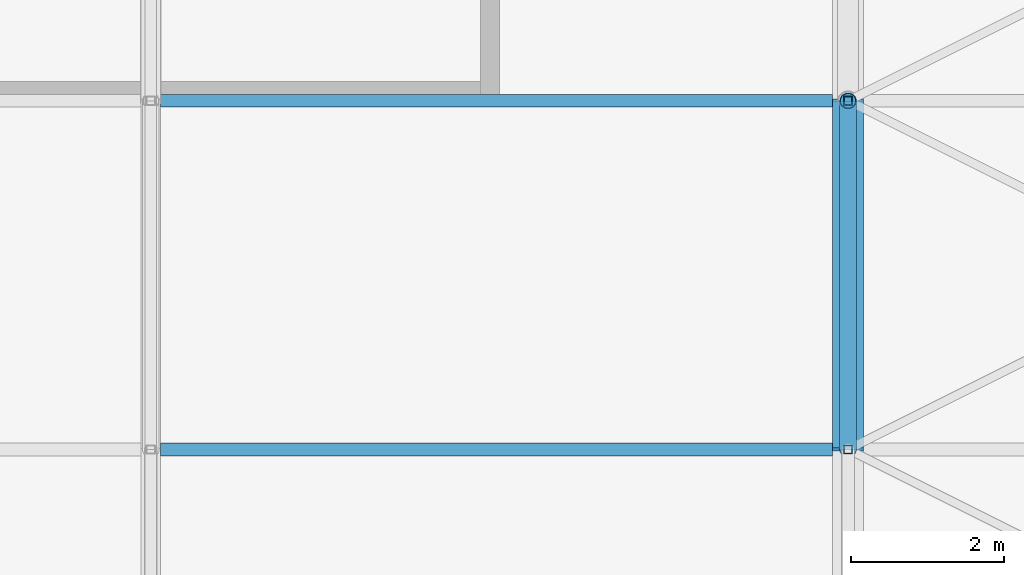
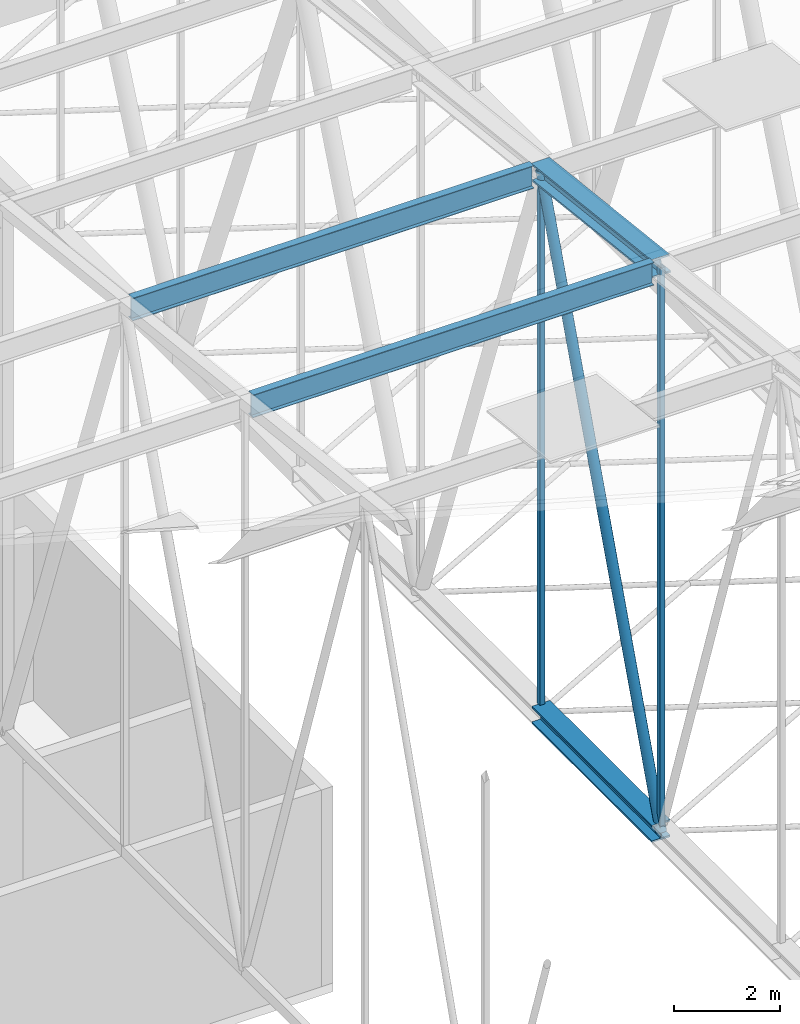
# One storey, part 203 of 500: 7 members.
"""IFC4 building model written with IfcOpenShell, lengths in metres."""

from ifc_helpers import new_model, si_unit, direction, frame, origin, origin_2d, place, context, subcontext, project, spatial, hollow_rectangle, hollow_circle, i_section, extrude, material, material_profile, profile_set, type_object, element, save


model = new_model("IFC4")

# Units and contexts
model_context = context("Model", 3, precision=1e-05, world=origin(), true_north=direction((0.0, 1.0)))
body_context = subcontext(model_context, "Body", "Model", "MODEL_VIEW")
ifc_project = project(units=[si_unit("LENGTHUNIT", "METRE"), si_unit("AREAUNIT", "SQUARE_METRE"), si_unit("VOLUMEUNIT", "CUBIC_METRE"), si_unit("PLANEANGLEUNIT", "RADIAN"), si_unit("MASSUNIT", "GRAM", prefix="KILO")], contexts=[model_context])

# Site, building, storey
site_placement = place(None, origin())
site = spatial("IfcSite", under=ifc_project, at=site_placement, CompositionType="ELEMENT")
building_placement = place(site_placement, origin())
building = spatial("IfcBuilding", under=site, at=building_placement, Name="Shirokan Park Arena", CompositionType="ELEMENT")
storey_placement = place(building_placement, frame((0.0, 0.0, 29.1201171875)))
storey = spatial("IfcBuildingStorey", under=building, at=storey_placement, Name="L06", CompositionType="ELEMENT", Elevation=29.1201171875)

# Members
ifc_material_1 = material(Name="Steel ASTM A992", Category="steel")
ifc_material_profile_1 = material_profile(ifc_material_1, i_section(OverallWidth=0.40087890625, OverallDepth=0.39892578125, WebThickness=0.02490234375, FlangeThickness=0.03955078125, at=origin_2d()), Name="W360X314")
ifc_profile_set_1 = profile_set([ifc_material_profile_1], Name="Steel ASTM A992")
member_type_1 = type_object("IfcMemberType", Name="Bottom chord W360X314", PredefinedType="CHORD", material=ifc_profile_set_1)
member_1_placement = place(storey_placement, frame((45.5, 63.699951171875, 4.677001953125), z_axis=(0.0, 1.0, 0.0), x_axis=(-1.0, 0.0, 0.0)))
element("IfcMember", 1, at=member_1_placement, inside=storey, type_object=member_type_1, Name="Truss T06 bottom chord 17", PredefinedType="CHORD", context=body_context, shape_type="SweptSolid", body=[
    extrude(i_section(OverallWidth=0.40087890625, OverallDepth=0.39892578125, WebThickness=0.02490234375, FlangeThickness=0.03955078125, at=origin_2d()), origin(), (0.0, 0.0, 1.0), 4.550048828125),
])
ifc_material_profile_2 = material_profile(ifc_material_1, i_section(OverallWidth=0.166015625, OverallDepth=0.528076171875, WebThickness=0.009765625, FlangeThickness=0.013671875, at=origin_2d()), Name="W530X74")
ifc_profile_set_2 = profile_set([ifc_material_profile_2], Name="Steel ASTM A992")
member_type_2 = type_object("IfcMemberType", Name="Purlin W530X74", PredefinedType="PURLIN", material=ifc_profile_set_2)
member_2_placement = place(storey_placement, frame((36.527099609375, 63.699951171875, 17.685791015625), z_axis=(1.0, 0.0, 0.0), x_axis=(0.0, 1.0, 0.0)))
element("IfcMember", 2, at=member_2_placement, inside=storey, type_object=member_type_2, Name="Purlin 17 bay 5", PredefinedType="PURLIN", context=body_context, shape_type="SweptSolid", body=[
    extrude(i_section(OverallWidth=0.166015625, OverallDepth=0.528076171875, WebThickness=0.009765625, FlangeThickness=0.013671875, at=origin_2d()), origin(), (0.0, 0.0, 1.0), 8.77001953125),
])
member_3_placement = place(storey_placement, frame((36.527099609375, 68.25, 17.165771484375), z_axis=(1.0, 0.0, 0.0), x_axis=(0.0, 1.0, 0.0)))
element("IfcMember", 3, at=member_3_placement, inside=storey, type_object=member_type_2, Name="Purlin 18 bay 5", PredefinedType="PURLIN", context=body_context, shape_type="SweptSolid", body=[
    extrude(i_section(OverallWidth=0.166015625, OverallDepth=0.528076171875, WebThickness=0.009765625, FlangeThickness=0.013671875, at=origin_2d()), origin(), (0.0, 0.0, 1.0), 8.7724609375),
])
ifc_material_profile_3 = material_profile(ifc_material_1, i_section(OverallWidth=0.40087890625, OverallDepth=0.39892578125, WebThickness=0.02490234375, FlangeThickness=0.03955078125, at=origin_2d()), Name="W360X314")
ifc_profile_set_3 = profile_set([ifc_material_profile_3], Name="Steel ASTM A992")
member_type_3 = type_object("IfcMemberType", Name="Top chord W360X314", PredefinedType="CHORD", material=ifc_profile_set_3)
member_4_placement = place(storey_placement, frame((45.5, 63.699951171875, 17.741455078125), z_axis=(0.0, 0.993532328996, -0.113549598152), x_axis=(-1.0, 0.0, 0.0)))
element("IfcMember", 4, at=member_4_placement, inside=storey, type_object=member_type_3, Name="Truss T06 top chord 17", PredefinedType="CHORD", context=body_context, shape_type="SweptSolid", body=[
    extrude(i_section(OverallWidth=0.40087890625, OverallDepth=0.39892578125, WebThickness=0.02490234375, FlangeThickness=0.03955078125, at=origin_2d()), origin(), (0.0, 0.0, 1.0), 4.57958984375),
])
ifc_material_2 = material(Name="Steel ASTM A500 Grade C", Category="steel")
ifc_material_profile_4 = material_profile(ifc_material_2, hollow_circle(Radius=0.109619140625, WallThickness=0.009521484375, at=origin_2d()), Name="HSS219.1X9.5")
ifc_profile_set_4 = profile_set([ifc_material_profile_4], Name="Steel ASTM A500 Grade C")
member_type_4 = type_object("IfcMemberType", Name="Truss diagonal HSS219.1X9.5", PredefinedType="BRACE", material=ifc_profile_set_4)
member_5_placement = place(storey_placement, frame((45.5, 63.699951171875, 4.677001953125), z_axis=(0.0, 0.340977600467, 0.94007142068), x_axis=(-1.0, 0.0, 0.0)))
element("IfcMember", 5, at=member_5_placement, inside=storey, type_object=member_type_4, Name="Truss T06 diagonal 17", PredefinedType="BRACE", context=body_context, shape_type="SweptSolid", body=[
    extrude(hollow_circle(Radius=0.109619140625, WallThickness=0.009521484375, at=origin_2d()), origin(), (0.0, 0.0, 1.0), 13.34423828125),
])
ifc_material_profile_5 = material_profile(ifc_material_2, hollow_rectangle(XDim=0.114013671875, YDim=0.114013671875, WallThickness=0.00634765625, at=origin_2d()), Name="HSS114.3X114.3X6.4")
ifc_profile_set_5 = profile_set([ifc_material_profile_5], Name="Steel ASTM A500 Grade C")
member_type_5 = type_object("IfcMemberType", Name="Truss post HSS114.3X114.3X6.4", PredefinedType="POST", material=ifc_profile_set_5)
member_6_placement = place(storey_placement, frame((45.5, 63.699951171875, 4.677001953125), z_axis=(0.0, 0.0, 1.0), x_axis=(1.0, 0.0, 0.0)))
element("IfcMember", 6, at=member_6_placement, inside=storey, type_object=member_type_5, Name="Truss T06 post 17", PredefinedType="POST", context=body_context, shape_type="SweptSolid", body=[
    extrude(hollow_rectangle(XDim=0.114013671875, YDim=0.114013671875, WallThickness=0.00634765625, at=origin_2d()), origin(), (0.0, 0.0, 1.0), 13.064453125),
])
member_7_placement = place(storey_placement, frame((45.5, 68.25, 4.677001953125), z_axis=(0.0, 0.0, 1.0), x_axis=(1.0, 0.0, 0.0)))
element("IfcMember", 7, at=member_7_placement, inside=storey, type_object=member_type_5, Name="Truss T06 post 18", PredefinedType="POST", context=body_context, shape_type="SweptSolid", body=[
    extrude(hollow_rectangle(XDim=0.114013671875, YDim=0.114013671875, WallThickness=0.00634765625, at=origin_2d()), origin(), (0.0, 0.0, 1.0), 12.54443359375),
])

save(model, "model.ifc")
